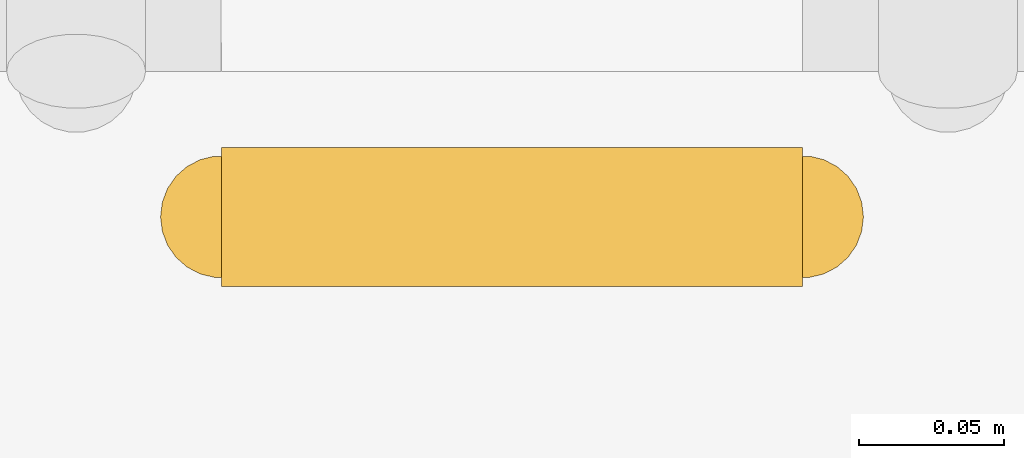
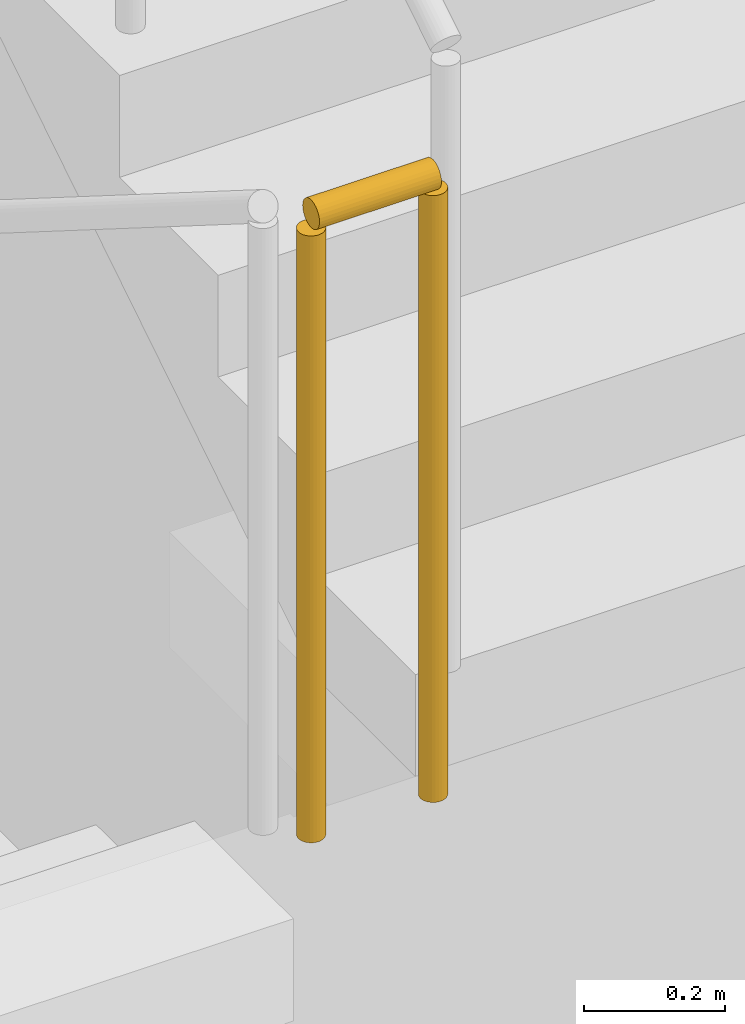
# One storey, part 52 of 66: 1 railing.
"""IFC4 building model written with IfcOpenShell, lengths in metres."""

from ifc_helpers import new_model, si_unit, direction, frame, origin, origin_2d, place, context, subcontext, project, spatial, circle, extrude, material, type_object, element, save


model = new_model("IFC4")

# Units and contexts
model_context = context("Model", 3, precision=1e-05, world=origin(), true_north=direction((0.0, 1.0)))
body_context = subcontext(model_context, "Body", "Model", "MODEL_VIEW")
ifc_project = project(units=[si_unit("LENGTHUNIT", "METRE"), si_unit("AREAUNIT", "SQUARE_METRE"), si_unit("VOLUMEUNIT", "CUBIC_METRE"), si_unit("PLANEANGLEUNIT", "RADIAN"), si_unit("MASSUNIT", "GRAM", prefix="KILO")], contexts=[model_context])

# Site, building, storey
site_placement = place(None, origin())
site = spatial("IfcSite", under=ifc_project, at=site_placement, CompositionType="ELEMENT")
building_placement = place(site_placement, origin())
building = spatial("IfcBuilding", under=site, at=building_placement, Name="Lunette Opera House", CompositionType="ELEMENT")
storey_placement = place(building_placement, frame((0.0, 0.0, -6.0)))
storey = spatial("IfcBuildingStorey", under=building, at=storey_placement, Name="B1", CompositionType="ELEMENT", Elevation=-6.0)

# Railing
ifc_material = material(Name="Steel S355", Category="steel")
railing_type = type_object("IfcRailingType", Name="STAIR GUARD 1100", PredefinedType="GUARDRAIL", material=ifc_material)
railing_placement = place(storey_placement, frame((129.35009765625, 99.219970703125, 3.0)))
element("IfcRailing", 1, at=railing_placement, inside=storey, type_object=railing_type, Name="B1 ST14 stair guard 2", PredefinedType="GUARDRAIL", context=body_context, shape_type="SweptSolid", body=[
    extrude(circle(Radius=0.02392578125, at=origin_2d()), frame((0.0, 0.0, 1.076171875), z_axis=(1.0, 0.0, 0.0), x_axis=(0.0, 1.0, 0.0)), (0.0, 0.0, 1.0), 0.199951171875),
    extrude(circle(Radius=0.02099609375, at=origin_2d()), origin(), (0.0, 0.0, 1.0), 1.052001953125),
    extrude(circle(Radius=0.02099609375, at=origin_2d()), frame((0.199951171875, 0.0, 0.0)), (0.0, 0.0, 1.0), 1.052001953125),
])

save(model, "model.ifc")
